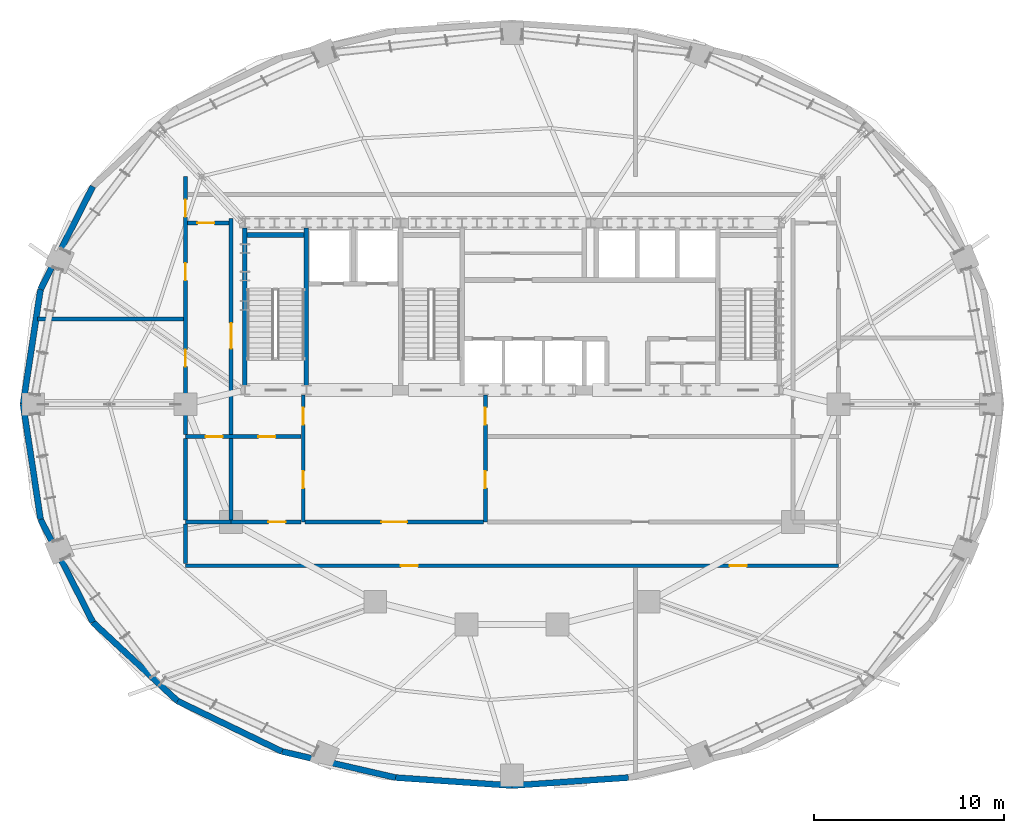
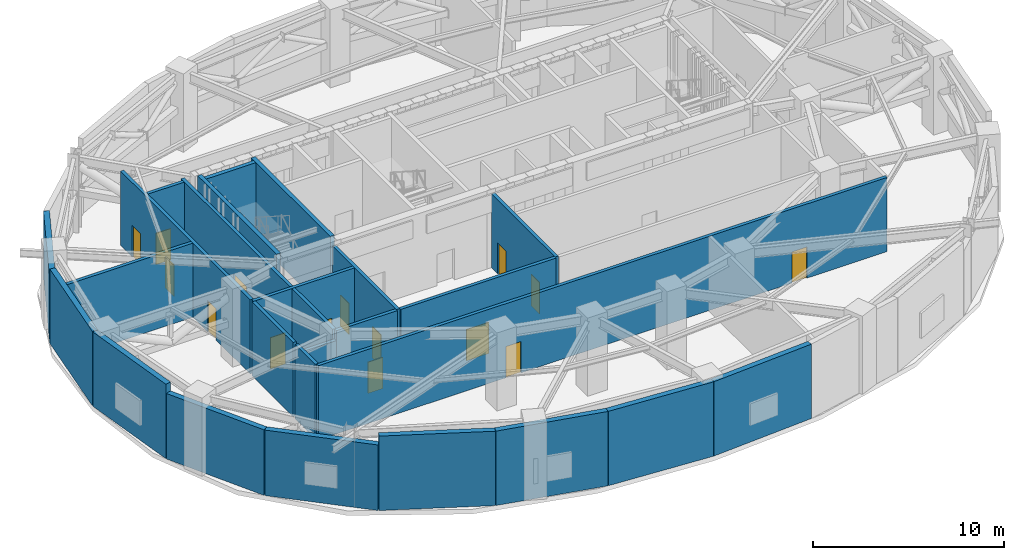
# One storey, part 11 of 17: 26 walls, 15 doors, 15 openings.
"""IFC4 building model written with IfcOpenShell, lengths in metres."""

from ifc_helpers import new_model, si_unit, direction, frame, frame_2d, origin, place, context, subcontext, project, spatial, rectangle, extrude, material, layer, layer_set, type_object, element, fill, save


model = new_model("IFC4")

# Units and contexts
model_context = context("Model", 3, precision=1e-05, world=origin(), true_north=direction((0.0, 1.0)))
body_context = subcontext(model_context, "Body", "Model", "MODEL_VIEW")
ifc_project = project(units=[si_unit("LENGTHUNIT", "METRE"), si_unit("AREAUNIT", "SQUARE_METRE"), si_unit("VOLUMEUNIT", "CUBIC_METRE"), si_unit("PLANEANGLEUNIT", "RADIAN"), si_unit("MASSUNIT", "GRAM", prefix="KILO")], contexts=[model_context])

# Site, building, storey
site_placement = place(None, origin())
site = spatial("IfcSite", under=ifc_project, at=site_placement, CompositionType="ELEMENT")
building_placement = place(site_placement, origin())
building = spatial("IfcBuilding", under=site, at=building_placement, Name="Haldorwick Loom Tower", CompositionType="ELEMENT")
storey_placement = place(building_placement, frame((0.0, 0.0, 149.449951171875)))
storey = spatial("IfcBuildingStorey", under=building, at=storey_placement, Name="L40", CompositionType="ELEMENT", Elevation=149.449951171875)

# Walls
ifc_material_1 = material(Name="Pressed Clay Face Brick and Insulated Masonry Backup Assembly", Category="masonry")
ifc_layer_1 = layer(ifc_material_1, 0.320068359375, Name="Pressed Clay Face Brick and Insulated Masonry Backup Assembly", Category="masonry")
ifc_layer_set_1 = layer_set([ifc_layer_1], Name="Pressed Clay Face Brick and Insulated Masonry Backup Assembly")
wall_type_1 = type_object("IfcWallType", Name="ARC-WL-EXT320", PredefinedType="STANDARD", material=ifc_layer_set_1)
wall_1_placement = place(storey_placement, frame((13.92333984375, 37.481201171875, 0.0), z_axis=(0.0, 0.0, 1.0), x_axis=(-0.453172129629, -0.89142303141, 0.0)))
element("IfcWall", 1, at=wall_1_placement, inside=storey, type_object=wall_type_1, Name="L40 Brick Pier and Spandrel Wall 11", PredefinedType="STANDARD", context=body_context, shape_type="SweptSolid", body=[
    extrude(rectangle(XDim=6.086669921875, YDim=0.320068359375, at=frame_2d((3.04345703125, 0.0))), origin(), (0.0, 0.0, 1.0), 4.191162109375),
])
for number, where, z_axis, x_axis, name in (
    (2, (11.1650390625, 32.055419921875, 0.0), (0.0, 0.0, 1.0), (-0.150544467684, -0.988603238539, 0.0), "L40 Brick Pier and Spandrel Wall 12"),
    (3, (10.242919921875, 26.0, 0.0), (0.0, 0.0, 1.0), (0.150544467684, -0.988603238539, 0.0), "L40 Brick Pier and Spandrel Wall 13"),
):
    element("IfcWall", number, at=place(storey_placement, frame(where, z_axis=z_axis, x_axis=x_axis)), inside=storey, type_object=wall_type_1, Name=name, PredefinedType="STANDARD", context=body_context, shape_type="SweptSolid", body=[
        extrude(rectangle(XDim=6.125244140625, YDim=0.320068359375, at=frame_2d((3.0625, 0.0))), origin(), (0.0, 0.0, 1.0), 4.760009765625),
    ])
wall_2_placement = place(storey_placement, frame((11.1650390625, 19.944580078125, 0.0), z_axis=(0.0, 0.0, 1.0), x_axis=(0.453172129629, -0.89142303141, 0.0)))
element("IfcWall", 4, at=wall_2_placement, inside=storey, type_object=wall_type_1, Name="L40 Brick Pier and Spandrel Wall 14", PredefinedType="STANDARD", context=body_context, shape_type="SweptSolid", body=[
    extrude(rectangle(XDim=6.086669921875, YDim=0.320068359375, at=frame_2d((3.04345703125, 0.0))), origin(), (0.0, 0.0, 1.0), 4.191162109375),
])
wall_3_placement = place(storey_placement, frame((13.92333984375, 14.518798828125, 0.0), z_axis=(0.0, 0.0, 1.0), x_axis=(0.732001571644, -0.681302942244, 0.0)))
element("IfcWall", 5, at=wall_3_placement, inside=storey, type_object=wall_type_1, Name="L40 Brick Pier and Spandrel Wall 15", PredefinedType="STANDARD", context=body_context, shape_type="SweptSolid", body=[
    extrude(rectangle(XDim=6.0869140625, YDim=0.320068359375, at=frame_2d((3.04345703125, 0.0))), origin(), (0.0, 0.0, 1.0), 4.191162109375),
])
wall_4_placement = place(storey_placement, frame((18.37890625, 10.371826171875, 0.0), z_axis=(0.0, 0.0, 1.0), x_axis=(0.900472429216, -0.43491309962, 0.0)))
element("IfcWall", 6, at=wall_4_placement, inside=storey, type_object=wall_type_1, Name="L40 Brick Pier and Spandrel Wall 16", PredefinedType="STANDARD", context=body_context, shape_type="SweptSolid", body=[
    extrude(rectangle(XDim=6.1181640625, YDim=0.320068359375, at=frame_2d((3.05908203125, 0.0))), origin(), (0.0, 0.0, 1.0), 4.760009765625),
])
wall_5_placement = place(storey_placement, frame((23.88818359375, 7.7109375, 0.0), z_axis=(0.0, 0.0, 1.0), x_axis=(0.974593223547, -0.223982250674, 0.0)))
element("IfcWall", 7, at=wall_5_placement, inside=storey, type_object=wall_type_1, Name="L40 Brick Pier and Spandrel Wall 17", PredefinedType="STANDARD", context=body_context, shape_type="SweptSolid", body=[
    extrude(rectangle(XDim=6.138916015625, YDim=0.320068359375, at=frame_2d((3.0693359375, 0.0))), origin(), (0.0, 0.0, 1.0), 4.760009765625),
])
for number, where, z_axis, x_axis, name in (
    (8, (29.87109375, 6.3359375, 0.0), (0.0, 0.0, 1.0), (0.997652942988, -0.068473391522, 0.0), "L40 Brick Pier and Spandrel Wall 18"),
    (9, (36.0, 5.915283203125, 0.0), (0.0, 0.0, 1.0), (0.997652942988, 0.068473391522, 0.0), "L40 Brick Pier and Spandrel Wall 19"),
):
    element("IfcWall", number, at=place(storey_placement, frame(where, z_axis=z_axis, x_axis=x_axis)), inside=storey, type_object=wall_type_1, Name=name, PredefinedType="STANDARD", context=body_context, shape_type="SweptSolid", body=[
        extrude(rectangle(XDim=6.143310546875, YDim=0.320068359375, at=frame_2d((3.07177734375, 0.0))), origin(), (0.0, 0.0, 1.0), 4.760009765625),
    ])

# Wall, openings, doors
ifc_material_2 = material(Name="Fire-Rated Type X Gypsum Stud Assembly EI 120")
ifc_layer_2 = layer(ifc_material_2, 0.199951171875, Name="Fire-Rated Type X Gypsum Stud Assembly EI 120")
ifc_layer_set_2 = layer_set([ifc_layer_2], Name="Fire-Rated Type X Gypsum Stud Assembly EI 120")
wall_type_2 = type_object("IfcWallType", Name="ARC-WL-FIRE200", PredefinedType="PARTITIONING", material=ifc_layer_set_2)
wall_6_placement = place(storey_placement, frame((25.0, 19.800048828125, 0.0), z_axis=(0.0, 0.0, 1.0), x_axis=(0.0, 1.0, 0.0)))
wall_6 = element("IfcWall", 10, at=wall_6_placement, inside=storey, type_object=wall_type_2, Name="L40 Interior Partition L40-REF-W", PredefinedType="PARTITIONING", context=body_context, shape_type="SweptSolid", body=[
    extrude(rectangle(XDim=6.697021484375, YDim=0.199951171875, at=frame_2d((3.3486328125, 0.0))), origin(), (0.0, 0.0, 1.0), 4.7451171875),
])
opening_1_placement = place(wall_6_placement, frame((5.130859375, 0.0, 0.0)))
opening_1 = element("IfcOpeningElement", 11, at=opening_1_placement, cuts=wall_6, Name="Opening D-FD60A", PredefinedType="OPENING", context=body_context, shape_type="SweptSolid", body=[
    extrude(rectangle(XDim=0.89990234375, YDim=2.0, at=frame_2d((0.449951171875, 1.0))), frame((0.0, 0.10986328125, 0.0), z_axis=(0.0, -1.0, 0.0), x_axis=(1.0, 0.0, 0.0)), (0.0, 0.0, 1.0), 0.219970703125),
])
opening_2_placement = place(wall_6_placement, frame((1.7822265625, 0.0, 0.0)))
opening_2 = element("IfcOpeningElement", 12, at=opening_2_placement, cuts=wall_6, Name="Opening D-FD60A", PredefinedType="OPENING", context=body_context, shape_type="SweptSolid", body=[
    extrude(rectangle(XDim=0.89990234375, YDim=2.0, at=frame_2d((0.449951171875, 1.0))), frame((0.0, 0.10986328125, 0.0), z_axis=(0.0, -1.0, 0.0), x_axis=(1.0, 0.0, 0.0)), (0.0, 0.0, 1.0), 0.219970703125),
])
ifc_material_3 = material(Name="Hollow Steel Fire Door Assembly", Category="steel")
door_type_1 = type_object("IfcDoorType", Name="ARC-DR-FD60-90", OperationType="NOTDEFINED", PredefinedType="DOOR", material=ifc_material_3)
door_1_placement = place(opening_1_placement, origin())
door_1 = element("IfcDoor", 13, at=door_1_placement, inside=storey, type_object=door_type_1, Name="L40 West Refuge Vestibule to Area of Refuge Door", OperationType="SINGLE_SWING_LEFT", OverallHeight=2.0, OverallWidth=0.89990234375, PredefinedType="DOOR", context=body_context, shape_type="SweptSolid", body=[
    extrude(rectangle(XDim=0.89990234375, YDim=2.0, at=frame_2d((0.449951171875, 1.0))), frame((0.0, 0.02490234375, 0.0), z_axis=(0.0, -1.0, 0.0), x_axis=(1.0, 0.0, 0.0)), (0.0, 0.0, 1.0), 0.050048828125),
])
fill(opening_1, door_1)
door_2_placement = place(opening_2_placement, frame((0.89990234375, 0.0, 0.0), z_axis=(0.0, 0.0, 1.0), x_axis=(-1.0, 0.0, 0.0)))
door_2 = element("IfcDoor", 14, at=door_2_placement, inside=storey, type_object=door_type_1, Name="L40 Mechanical Equipment Plant 5 to Area of Refuge Door", OperationType="SINGLE_SWING_LEFT", OverallHeight=2.0, OverallWidth=0.89990234375, PredefinedType="DOOR", context=body_context, shape_type="SweptSolid", body=[
    extrude(rectangle(XDim=0.89990234375, YDim=2.0, at=frame_2d((0.449951171875, 1.0))), frame((0.0, 0.02490234375, 0.0), z_axis=(0.0, -1.0, 0.0), x_axis=(1.0, 0.0, 0.0)), (0.0, 0.0, 1.0), 0.050048828125),
])
fill(opening_2, door_2)

wall_7_placement = place(storey_placement, frame((34.60009765625, 19.800048828125, 0.0), z_axis=(0.0, 0.0, 1.0), x_axis=(0.0, 1.0, 0.0)))
wall_7 = element("IfcWall", 15, at=wall_7_placement, inside=storey, type_object=wall_type_2, Name="L40 Interior Partition L40-REF-E", PredefinedType="PARTITIONING", context=body_context, shape_type="SweptSolid", body=[
    extrude(rectangle(XDim=6.697021484375, YDim=0.199951171875, at=frame_2d((3.3486328125, 0.0))), origin(), (0.0, 0.0, 1.0), 4.7451171875),
])
opening_3_placement = place(wall_7_placement, frame((5.130859375, 0.0, 0.0)))
opening_3 = element("IfcOpeningElement", 16, at=opening_3_placement, cuts=wall_7, Name="Opening D-FD60A", PredefinedType="OPENING", context=body_context, shape_type="SweptSolid", body=[
    extrude(rectangle(XDim=0.89990234375, YDim=2.0, at=frame_2d((0.449951171875, 1.0))), frame((0.0, 0.10986328125, 0.0), z_axis=(0.0, -1.0, 0.0), x_axis=(1.0, 0.0, 0.0)), (0.0, 0.0, 1.0), 0.219970703125),
])
opening_4_placement = place(wall_7_placement, frame((1.7822265625, 0.0, 0.0)))
opening_4 = element("IfcOpeningElement", 17, at=opening_4_placement, cuts=wall_7, Name="Opening D-FD60A", PredefinedType="OPENING", context=body_context, shape_type="SweptSolid", body=[
    extrude(rectangle(XDim=0.89990234375, YDim=2.0, at=frame_2d((0.449951171875, 1.0))), frame((0.0, 0.10986328125, 0.0), z_axis=(0.0, -1.0, 0.0), x_axis=(1.0, 0.0, 0.0)), (0.0, 0.0, 1.0), 0.219970703125),
])
door_3_placement = place(opening_3_placement, origin())
door_3 = element("IfcDoor", 18, at=door_3_placement, inside=storey, type_object=door_type_1, Name="L40 Area of Refuge to East Plant Exit Corridor Door", OperationType="SINGLE_SWING_RIGHT", OverallHeight=2.0, OverallWidth=0.89990234375, PredefinedType="DOOR", context=body_context, shape_type="SweptSolid", body=[
    extrude(rectangle(XDim=0.89990234375, YDim=2.0, at=frame_2d((0.449951171875, 1.0))), frame((0.0, 0.02490234375, 0.0), z_axis=(0.0, -1.0, 0.0), x_axis=(1.0, 0.0, 0.0)), (0.0, 0.0, 1.0), 0.050048828125),
])
fill(opening_3, door_3)
door_4_placement = place(opening_4_placement, origin())
door_4 = element("IfcDoor", 19, at=door_4_placement, inside=storey, type_object=door_type_1, Name="L40 Area of Refuge to Electrical Transformer Room 6 Door", OperationType="SINGLE_SWING_RIGHT", OverallHeight=2.0, OverallWidth=0.89990234375, PredefinedType="DOOR", context=body_context, shape_type="SweptSolid", body=[
    extrude(rectangle(XDim=0.89990234375, YDim=2.0, at=frame_2d((0.449951171875, 1.0))), frame((0.0, 0.02490234375, 0.0), z_axis=(0.0, -1.0, 0.0), x_axis=(1.0, 0.0, 0.0)), (0.0, 0.0, 1.0), 0.050048828125),
])
fill(opening_4, door_4)

# Wall, opening, door
wall_8_placement = place(storey_placement, frame((25.10302734375, 19.800048828125, 0.0), z_axis=(0.0, 0.0, 1.0), x_axis=(1.0, 0.0, 0.0)))
wall_8 = element("IfcWall", 20, at=wall_8_placement, inside=storey, type_object=wall_type_2, Name="L40 Interior Partition L40-REF-S", PredefinedType="PARTITIONING", context=body_context, shape_type="SweptSolid", body=[
    extrude(rectangle(XDim=9.39404296875, YDim=0.199951171875, at=frame_2d((4.697021484375, 0.0))), origin(), (0.0, 0.0, 1.0), 4.7451171875),
])
opening_5_placement = place(wall_8_placement, frame((4.02197265625, 0.0, 0.0)))
opening_5 = element("IfcOpeningElement", 21, at=opening_5_placement, cuts=wall_8, Name="Opening D-CR15", PredefinedType="OPENING", context=body_context, shape_type="SweptSolid", body=[
    extrude(rectangle(XDim=1.35009765625, YDim=2.0, at=frame_2d((0.675048828125, 1.0))), frame((0.0, 0.10986328125, 0.0), z_axis=(0.0, -1.0, 0.0), x_axis=(1.0, 0.0, 0.0)), (0.0, 0.0, 1.0), 0.219970703125),
])
ifc_material_4 = material(Name="Thermally Broken Anodized Aluminium and Tempered Glass", Category="aluminium")
door_type_2 = type_object("IfcDoorType", Name="ARC-DR-COR150", OperationType="NOTDEFINED", PredefinedType="DOOR", material=ifc_material_4)
door_5_placement = place(opening_5_placement, origin())
door_5 = element("IfcDoor", 22, at=door_5_placement, inside=storey, type_object=door_type_2, Name="L40 Area of Refuge to South Plant Service Corridor Door", OperationType="DOUBLE_DOOR_SINGLE_SWING", OverallHeight=2.0, OverallWidth=1.35009765625, PredefinedType="DOOR", context=body_context, shape_type="SweptSolid", body=[
    extrude(rectangle(XDim=1.35009765625, YDim=2.0, at=frame_2d((0.675048828125, 1.0))), frame((0.0, 0.02490234375, 0.0), z_axis=(0.0, -1.0, 0.0), x_axis=(1.0, 0.0, 0.0)), (0.0, 0.0, 1.0), 0.050048828125),
])
fill(opening_5, door_5)

# Wall, openings, doors
wall_9_placement = place(storey_placement, frame((18.800048828125, 17.5, 0.0), z_axis=(0.0, 0.0, 1.0), x_axis=(1.0, 0.0, 0.0)))
wall_9 = element("IfcWall", 23, at=wall_9_placement, inside=storey, type_object=wall_type_2, Name="L40 Interior Partition L40-PC-S1", PredefinedType="PARTITIONING", context=body_context, shape_type="SweptSolid", body=[
    extrude(rectangle(XDim=34.39990234375, YDim=0.199951171875, at=frame_2d((17.199951171875, 0.0))), origin(), (0.0, 0.0, 1.0), 4.7451171875),
])
opening_6_placement = place(wall_9_placement, frame((11.347412109375, 0.0, 0.0)))
opening_6 = element("IfcOpeningElement", 24, at=opening_6_placement, cuts=wall_9, Name="Opening D-FD60A", PredefinedType="OPENING", context=body_context, shape_type="SweptSolid", body=[
    extrude(rectangle(XDim=0.89990234375, YDim=2.0, at=frame_2d((0.449951171875, 1.0))), frame((0.0, 0.10986328125, 0.0), z_axis=(0.0, -1.0, 0.0), x_axis=(1.0, 0.0, 0.0)), (0.0, 0.0, 1.0), 0.219970703125),
])
opening_7_placement = place(wall_9_placement, frame((28.65771484375, 0.0, 0.0)))
opening_7 = element("IfcOpeningElement", 25, at=opening_7_placement, cuts=wall_9, Name="Opening D-FD60A", PredefinedType="OPENING", context=body_context, shape_type="SweptSolid", body=[
    extrude(rectangle(XDim=0.89990234375, YDim=2.0, at=frame_2d((0.449951171875, 1.0))), frame((0.0, 0.10986328125, 0.0), z_axis=(0.0, -1.0, 0.0), x_axis=(1.0, 0.0, 0.0)), (0.0, 0.0, 1.0), 0.219970703125),
])
door_6_placement = place(opening_6_placement, origin())
door_6 = element("IfcDoor", 26, at=door_6_placement, inside=storey, type_object=door_type_1, Name="L40 South Plant Service Corridor to Domestic Water Booster and Fire Pump", OperationType="SINGLE_SWING_LEFT", OverallHeight=2.0, OverallWidth=0.89990234375, PredefinedType="DOOR", context=body_context, shape_type="SweptSolid", body=[
    extrude(rectangle(XDim=0.89990234375, YDim=2.0, at=frame_2d((0.449951171875, 1.0))), frame((0.0, 0.02490234375, 0.0), z_axis=(0.0, -1.0, 0.0), x_axis=(1.0, 0.0, 0.0)), (0.0, 0.0, 1.0), 0.050048828125),
])
fill(opening_6, door_6)
door_7_placement = place(opening_7_placement, origin())
door_7 = element("IfcDoor", 27, at=door_7_placement, inside=storey, type_object=door_type_1, Name="L40 South Plant Service Corridor to Air Handling Ventilation Plant Door", OperationType="SINGLE_SWING_RIGHT", OverallHeight=2.0, OverallWidth=0.89990234375, PredefinedType="DOOR", context=body_context, shape_type="SweptSolid", body=[
    extrude(rectangle(XDim=0.89990234375, YDim=2.0, at=frame_2d((0.449951171875, 1.0))), frame((0.0, 0.02490234375, 0.0), z_axis=(0.0, -1.0, 0.0), x_axis=(1.0, 0.0, 0.0)), (0.0, 0.0, 1.0), 0.050048828125),
])
fill(opening_7, door_7)

wall_10_placement = place(storey_placement, frame((18.800048828125, 24.300048828125, 0.0), z_axis=(0.0, 0.0, 1.0), x_axis=(1.0, 0.0, 0.0)))
wall_10 = element("IfcWall", 28, at=wall_10_placement, inside=storey, type_object=wall_type_2, Name="L40 Interior Partition L40-PC-S3", PredefinedType="PARTITIONING", context=body_context, shape_type="SweptSolid", body=[
    extrude(rectangle(XDim=6.096923828125, YDim=0.199951171875, at=frame_2d((3.04833984375, 0.0))), origin(), (0.0, 0.0, 1.0), 4.7451171875),
])
opening_8_placement = place(wall_10_placement, frame((3.840576171875, 0.0, 0.0)))
opening_8 = element("IfcOpeningElement", 29, at=opening_8_placement, cuts=wall_10, Name="Opening D-FD60A", PredefinedType="OPENING", context=body_context, shape_type="SweptSolid", body=[
    extrude(rectangle(XDim=0.89990234375, YDim=2.0, at=frame_2d((0.449951171875, 1.0))), frame((0.0, 0.10986328125, 0.0), z_axis=(0.0, -1.0, 0.0), x_axis=(1.0, 0.0, 0.0)), (0.0, 0.0, 1.0), 0.219970703125),
])
opening_9_placement = place(wall_10_placement, frame((1.058837890625, 0.0, 0.0)))
opening_9 = element("IfcOpeningElement", 30, at=opening_9_placement, cuts=wall_10, Name="Opening D-FD60A", PredefinedType="OPENING", context=body_context, shape_type="SweptSolid", body=[
    extrude(rectangle(XDim=0.89990234375, YDim=2.0, at=frame_2d((0.449951171875, 1.0))), frame((0.0, 0.10986328125, 0.0), z_axis=(0.0, -1.0, 0.0), x_axis=(1.0, 0.0, 0.0)), (0.0, 0.0, 1.0), 0.219970703125),
])
door_8_placement = place(opening_8_placement, origin())
door_8 = element("IfcDoor", 31, at=door_8_placement, inside=storey, type_object=door_type_1, Name="L40 West Refuge Vestibule to Mechanical Equipment Plant 5 Door", OperationType="SINGLE_SWING_RIGHT", OverallHeight=2.0, OverallWidth=0.89990234375, PredefinedType="DOOR", context=body_context, shape_type="SweptSolid", body=[
    extrude(rectangle(XDim=0.89990234375, YDim=2.0, at=frame_2d((0.449951171875, 1.0))), frame((0.0, 0.02490234375, 0.0), z_axis=(0.0, -1.0, 0.0), x_axis=(1.0, 0.0, 0.0)), (0.0, 0.0, 1.0), 0.050048828125),
])
fill(opening_8, door_8)
door_9_placement = place(opening_9_placement, origin())
door_9 = element("IfcDoor", 32, at=door_9_placement, inside=storey, type_object=door_type_1, Name="L40 West Mechanical Corridor to Ventilation Fan Room 4 Door", OperationType="SINGLE_SWING_LEFT", OverallHeight=2.0, OverallWidth=0.89990234375, PredefinedType="DOOR", context=body_context, shape_type="SweptSolid", body=[
    extrude(rectangle(XDim=0.89990234375, YDim=2.0, at=frame_2d((0.449951171875, 1.0))), frame((0.0, 0.02490234375, 0.0), z_axis=(0.0, -1.0, 0.0), x_axis=(1.0, 0.0, 0.0)), (0.0, 0.0, 1.0), 0.050048828125),
])
fill(opening_9, door_9)

# Wall
wall_11_placement = place(storey_placement, frame((18.800048828125, 19.800048828125, 0.0), z_axis=(0.0, 0.0, 1.0), x_axis=(1.0, 0.0, 0.0)))
element("IfcWall", 33, at=wall_11_placement, inside=storey, type_object=wall_type_2, Name="L40 Interior Partition L40-PC-S4W", PredefinedType="PARTITIONING", context=body_context, shape_type="SweptSolid", body=[
    extrude(rectangle(XDim=2.39990234375, YDim=0.199951171875, at=frame_2d((1.199951171875, 0.0))), origin(), (0.0, 0.0, 1.0), 4.1181640625),
])

# Wall, opening, door
wall_12_placement = place(storey_placement, frame((21.199951171875, 19.800048828125, 0.0), z_axis=(0.0, 0.0, 1.0), x_axis=(1.0, 0.0, 0.0)))
wall_12 = element("IfcWall", 34, at=wall_12_placement, inside=storey, type_object=wall_type_2, Name="L40 Interior Partition L40-PC-S5", PredefinedType="PARTITIONING", context=body_context, shape_type="SweptSolid", body=[
    extrude(rectangle(XDim=3.697021484375, YDim=0.199951171875, at=frame_2d((1.8486328125, 0.0))), origin(), (0.0, 0.0, 1.0), 4.7451171875),
])
opening_10_placement = place(wall_12_placement, frame((1.97314453125, 0.0, 0.0)))
opening_10 = element("IfcOpeningElement", 35, at=opening_10_placement, cuts=wall_12, Name="Opening D-FD60A", PredefinedType="OPENING", context=body_context, shape_type="SweptSolid", body=[
    extrude(rectangle(XDim=0.89990234375, YDim=2.0, at=frame_2d((0.449951171875, 1.0))), frame((0.0, 0.10986328125, 0.0), z_axis=(0.0, -1.0, 0.0), x_axis=(1.0, 0.0, 0.0)), (0.0, 0.0, 1.0), 0.219970703125),
])
door_10_placement = place(opening_10_placement, frame((0.89990234375, 0.0, 0.0), z_axis=(0.0, 0.0, 1.0), x_axis=(-1.0, 0.0, 0.0)))
door_10 = element("IfcDoor", 36, at=door_10_placement, inside=storey, type_object=door_type_1, Name="L40 Mechanical Equipment Plant 5 to South Plant Service Corridor Door", OperationType="SINGLE_SWING_LEFT", OverallHeight=2.0, OverallWidth=0.89990234375, PredefinedType="DOOR", context=body_context, shape_type="SweptSolid", body=[
    extrude(rectangle(XDim=0.89990234375, YDim=2.0, at=frame_2d((0.449951171875, 1.0))), frame((0.0, 0.02490234375, 0.0), z_axis=(0.0, -1.0, 0.0), x_axis=(1.0, 0.0, 0.0)), (0.0, 0.0, 1.0), 0.050048828125),
])
fill(opening_10, door_10)

# Walls
wall_13_placement = place(storey_placement, frame((18.800048828125, 17.60302734375, 0.0), z_axis=(0.0, 0.0, 1.0), x_axis=(0.0, 1.0, 0.0)))
element("IfcWall", 37, at=wall_13_placement, inside=storey, type_object=wall_type_2, Name="L40 Interior Partition L40-PC-W1", PredefinedType="PARTITIONING", context=body_context, shape_type="SweptSolid", body=[
    extrude(rectangle(XDim=2.093994140625, YDim=0.199951171875, at=frame_2d((1.046875, 0.0))), origin(), (0.0, 0.0, 1.0), 4.7451171875),
])
wall_14_placement = place(storey_placement, frame((18.800048828125, 19.903076171875, 0.0), z_axis=(0.0, 0.0, 1.0), x_axis=(0.0, 1.0, 0.0)))
element("IfcWall", 38, at=wall_14_placement, inside=storey, type_object=wall_type_2, Name="L40 Interior Partition L40-PC-W1", PredefinedType="PARTITIONING", context=body_context, shape_type="SweptSolid", body=[
    extrude(rectangle(XDim=4.2939453125, YDim=0.199951171875, at=frame_2d((2.14697265625, 0.0))), origin(), (0.0, 0.0, 1.0), 4.7451171875),
])

# Wall, openings, doors
wall_15_placement = place(storey_placement, frame((18.800048828125, 24.403076171875, 0.0), z_axis=(0.0, 0.0, 1.0), x_axis=(0.0, 1.0, 0.0)))
wall_15 = element("IfcWall", 39, at=wall_15_placement, inside=storey, type_object=wall_type_2, Name="L40 Interior Partition L40-PC-W1", PredefinedType="PARTITIONING", context=body_context, shape_type="SweptSolid", body=[
    extrude(rectangle(XDim=13.596923828125, YDim=0.199951171875, at=frame_2d((6.79833984375, 0.0))), origin(), (0.0, 0.0, 1.0), 4.7451171875),
])
opening_11_placement = place(wall_15_placement, frame((3.576904296875, 0.0, 0.0)))
opening_11 = element("IfcOpeningElement", 40, at=opening_11_placement, cuts=wall_15, Name="Opening D-FD60A", PredefinedType="OPENING", context=body_context, shape_type="SweptSolid", body=[
    extrude(rectangle(XDim=0.89990234375, YDim=2.0, at=frame_2d((0.449951171875, 1.0))), frame((0.0, 0.10986328125, 0.0), z_axis=(0.0, -1.0, 0.0), x_axis=(1.0, 0.0, 0.0)), (0.0, 0.0, 1.0), 0.219970703125),
])
opening_12_placement = place(wall_15_placement, frame((8.131591796875, 0.0, 0.0)))
opening_12 = element("IfcOpeningElement", 41, at=opening_12_placement, cuts=wall_15, Name="Opening D-FD60A", PredefinedType="OPENING", context=body_context, shape_type="SweptSolid", body=[
    extrude(rectangle(XDim=0.89990234375, YDim=2.0, at=frame_2d((0.449951171875, 1.0))), frame((0.0, 0.10986328125, 0.0), z_axis=(0.0, -1.0, 0.0), x_axis=(1.0, 0.0, 0.0)), (0.0, 0.0, 1.0), 0.219970703125),
])
opening_13_placement = place(wall_15_placement, frame((11.47509765625, 0.0, 0.0)))
opening_13 = element("IfcOpeningElement", 42, at=opening_13_placement, cuts=wall_15, Name="Opening D-FD60A", PredefinedType="OPENING", context=body_context, shape_type="SweptSolid", body=[
    extrude(rectangle(XDim=0.89990234375, YDim=2.0, at=frame_2d((0.449951171875, 1.0))), frame((0.0, 0.10986328125, 0.0), z_axis=(0.0, -1.0, 0.0), x_axis=(1.0, 0.0, 0.0)), (0.0, 0.0, 1.0), 0.219970703125),
])
door_11_placement = place(opening_11_placement, origin())
door_11 = element("IfcDoor", 43, at=door_11_placement, inside=storey, type_object=door_type_1, Name="L40 Domestic Water Booster and Fire Pump Room to West Mechanical Corrido", OperationType="SINGLE_SWING_LEFT", OverallHeight=2.0, OverallWidth=0.89990234375, PredefinedType="DOOR", context=body_context, shape_type="SweptSolid", body=[
    extrude(rectangle(XDim=0.89990234375, YDim=2.0, at=frame_2d((0.449951171875, 1.0))), frame((0.0, 0.02490234375, 0.0), z_axis=(0.0, -1.0, 0.0), x_axis=(1.0, 0.0, 0.0)), (0.0, 0.0, 1.0), 0.050048828125),
])
fill(opening_11, door_11)
door_12_placement = place(opening_12_placement, origin())
door_12 = element("IfcDoor", 44, at=door_12_placement, inside=storey, type_object=door_type_1, Name="L40 Emergency Power Transformer Plant to West Mechanical Corridor Door", OperationType="SINGLE_SWING_LEFT", OverallHeight=2.0, OverallWidth=0.89990234375, PredefinedType="DOOR", context=body_context, shape_type="SweptSolid", body=[
    extrude(rectangle(XDim=0.89990234375, YDim=2.0, at=frame_2d((0.449951171875, 1.0))), frame((0.0, 0.02490234375, 0.0), z_axis=(0.0, -1.0, 0.0), x_axis=(1.0, 0.0, 0.0)), (0.0, 0.0, 1.0), 0.050048828125),
])
fill(opening_12, door_12)
door_13_placement = place(opening_13_placement, origin())
door_13 = element("IfcDoor", 45, at=door_13_placement, inside=storey, type_object=door_type_1, Name="L40 Emergency Power Transformer Plant to North Mechanical Corridor Door", OperationType="SINGLE_SWING_LEFT", OverallHeight=2.0, OverallWidth=0.89990234375, PredefinedType="DOOR", context=body_context, shape_type="SweptSolid", body=[
    extrude(rectangle(XDim=0.89990234375, YDim=2.0, at=frame_2d((0.449951171875, 1.0))), frame((0.0, 0.02490234375, 0.0), z_axis=(0.0, -1.0, 0.0), x_axis=(1.0, 0.0, 0.0)), (0.0, 0.0, 1.0), 0.050048828125),
])
fill(opening_13, door_13)

# Wall
wall_16_placement = place(storey_placement, frame((21.199951171875, 19.903076171875, 0.0), z_axis=(0.0, 0.0, 1.0), x_axis=(0.0, 1.0, 0.0)))
element("IfcWall", 46, at=wall_16_placement, inside=storey, type_object=wall_type_2, Name="L40 Interior Partition L40-PC-W2", PredefinedType="PARTITIONING", context=body_context, shape_type="SweptSolid", body=[
    extrude(rectangle(XDim=4.2939453125, YDim=0.199951171875, at=frame_2d((2.14697265625, 0.0))), origin(), (0.0, 0.0, 1.0), 4.7451171875),
])

# Wall, opening, door
wall_17_placement = place(storey_placement, frame((21.199951171875, 24.403076171875, 0.0), z_axis=(0.0, 0.0, 1.0), x_axis=(0.0, 1.0, 0.0)))
wall_17 = element("IfcWall", 47, at=wall_17_placement, inside=storey, type_object=wall_type_2, Name="L40 Interior Partition L40-PC-W2", PredefinedType="PARTITIONING", context=body_context, shape_type="SweptSolid", body=[
    extrude(rectangle(XDim=11.39697265625, YDim=0.199951171875, at=frame_2d((5.698486328125, 0.0))), origin(), (0.0, 0.0, 1.0), 4.7451171875),
])
opening_14_placement = place(wall_17_placement, frame((4.529296875, 0.0, 0.0)))
opening_14 = element("IfcOpeningElement", 48, at=opening_14_placement, cuts=wall_17, Name="Opening D-CR15", PredefinedType="OPENING", context=body_context, shape_type="SweptSolid", body=[
    extrude(rectangle(XDim=1.35009765625, YDim=2.0, at=frame_2d((0.675048828125, 1.0))), frame((0.0, 0.10986328125, 0.0), z_axis=(0.0, -1.0, 0.0), x_axis=(1.0, 0.0, 0.0)), (0.0, 0.0, 1.0), 0.219970703125),
])
door_14_placement = place(opening_14_placement, origin())
door_14 = element("IfcDoor", 49, at=door_14_placement, inside=storey, type_object=door_type_2, Name="L40 West Mechanical Corridor to West Refuge Vestibule Door", OperationType="DOUBLE_DOOR_SINGLE_SWING", OverallHeight=2.0, OverallWidth=1.35009765625, PredefinedType="DOOR", context=body_context, shape_type="SweptSolid", body=[
    extrude(rectangle(XDim=1.35009765625, YDim=2.0, at=frame_2d((0.675048828125, 1.0))), frame((0.0, 0.02490234375, 0.0), z_axis=(0.0, -1.0, 0.0), x_axis=(1.0, 0.0, 0.0)), (0.0, 0.0, 1.0), 0.050048828125),
])
fill(opening_14, door_14)

wall_18_placement = place(storey_placement, frame((18.903076171875, 35.550048828125, 0.0), z_axis=(0.0, 0.0, 1.0), x_axis=(1.0, 0.0, 0.0)))
wall_18 = element("IfcWall", 50, at=wall_18_placement, inside=storey, type_object=wall_type_2, Name="L40 Interior Partition L40-PC-WN", PredefinedType="PARTITIONING", context=body_context, shape_type="SweptSolid", body=[
    extrude(rectangle(XDim=2.19384765625, YDim=0.199951171875, at=frame_2d((1.096923828125, 0.0))), origin(), (0.0, 0.0, 1.0), 4.7451171875),
])
opening_15_placement = place(wall_18_placement, frame((0.524169921875, 0.0, 0.0)))
opening_15 = element("IfcOpeningElement", 51, at=opening_15_placement, cuts=wall_18, Name="Opening D-FD60A", PredefinedType="OPENING", context=body_context, shape_type="SweptSolid", body=[
    extrude(rectangle(XDim=0.89990234375, YDim=2.0, at=frame_2d((0.449951171875, 1.0))), frame((0.0, 0.10986328125, 0.0), z_axis=(0.0, -1.0, 0.0), x_axis=(1.0, 0.0, 0.0)), (0.0, 0.0, 1.0), 0.219970703125),
])
door_15_placement = place(opening_15_placement, origin())
door_15 = element("IfcDoor", 52, at=door_15_placement, inside=storey, type_object=door_type_1, Name="L40 North Mechanical Corridor to West Mechanical Corridor Door", OperationType="SINGLE_SWING_LEFT", OverallHeight=2.0, OverallWidth=0.89990234375, PredefinedType="DOOR", context=body_context, shape_type="SweptSolid", body=[
    extrude(rectangle(XDim=0.89990234375, YDim=2.0, at=frame_2d((0.449951171875, 1.0))), frame((0.0, 0.02490234375, 0.0), z_axis=(0.0, -1.0, 0.0), x_axis=(1.0, 0.0, 0.0)), (0.0, 0.0, 1.0), 0.050048828125),
])
fill(opening_15, door_15)

# Walls
wall_19_placement = place(storey_placement, frame((10.993896484375, 30.5, 0.0), z_axis=(0.0, 0.0, 1.0), x_axis=(1.0, 0.0, 0.0)))
element("IfcWall", 53, at=wall_19_placement, inside=storey, type_object=wall_type_2, Name="L40 Interior Partition L40-PL-W", PredefinedType="PARTITIONING", context=body_context, shape_type="SweptSolid", body=[
    extrude(rectangle(XDim=7.703125, YDim=0.199951171875, at=frame_2d((3.8515625, 0.0))), origin(), (0.0, 0.0, 1.0), 4.7451171875),
])
ifc_material_5 = material(Name="Concrete C50 (50 MPa)", Category="concrete")
ifc_layer_3 = layer(ifc_material_5, 0.239990234375, Name="Concrete C50 (50 MPa)", Category="concrete")
ifc_layer_set_3 = layer_set([ifc_layer_3], Name="Concrete C50 (50 MPa)")
wall_type_3 = type_object("IfcWallType", Name="STR-WL-SHAFT240", PredefinedType="SHEAR", material=ifc_layer_set_3)
for number, where, z_axis, x_axis, name in (
    (54, (21.929931640625, 35.297119140625, 0.0), (0.0, 0.0, 1.0), (0.0, -1.0, 0.0), "L40 Core Shear Wall W"),
    (55, (25.169921875, 27.0029296875, 0.0), (0.0, 0.0, 1.0), (0.0, 1.0, 0.0), "L40 Core Shear Wall 1"),
):
    element("IfcWall", number, at=place(storey_placement, frame(where, z_axis=z_axis, x_axis=x_axis)), inside=storey, type_object=wall_type_3, Name=name, PredefinedType="SHEAR", context=body_context, shape_type="SweptSolid", body=[
        extrude(rectangle(XDim=8.294189453125, YDim=0.239990234375, at=frame_2d((4.14697265625, 0.0))), origin(), (0.0, 0.0, 1.0), 5.0),
    ])
wall_20_placement = place(storey_placement, frame((22.052978515625, 34.919921875, 0.0), z_axis=(0.0, 0.0, 1.0), x_axis=(1.0, 0.0, 0.0)))
element("IfcWall", 56, at=wall_20_placement, inside=storey, type_object=wall_type_3, Name="L40 Core Shear Wall 1N", PredefinedType="SHEAR", context=body_context, shape_type="SweptSolid", body=[
    extrude(rectangle(XDim=2.994140625, YDim=0.239990234375, at=frame_2d((1.4970703125, 0.0))), origin(), (0.0, 0.0, 1.0), 5.0),
])

save(model, "model.ifc")
